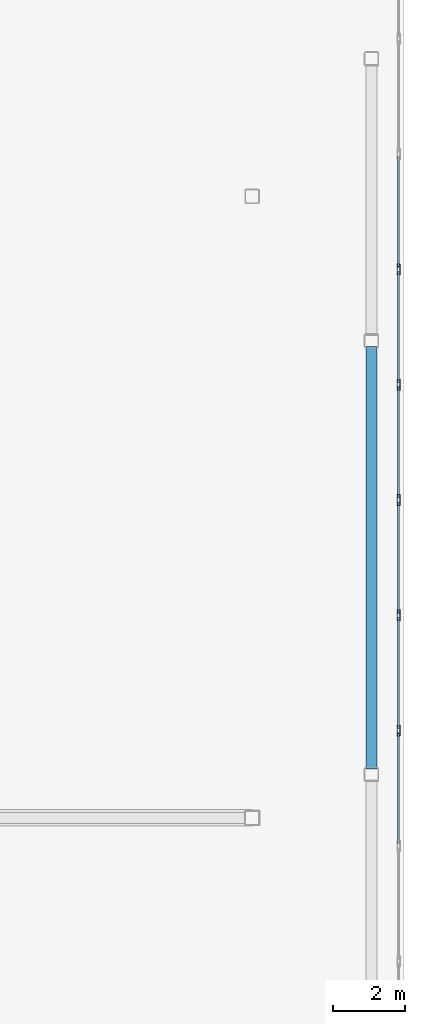
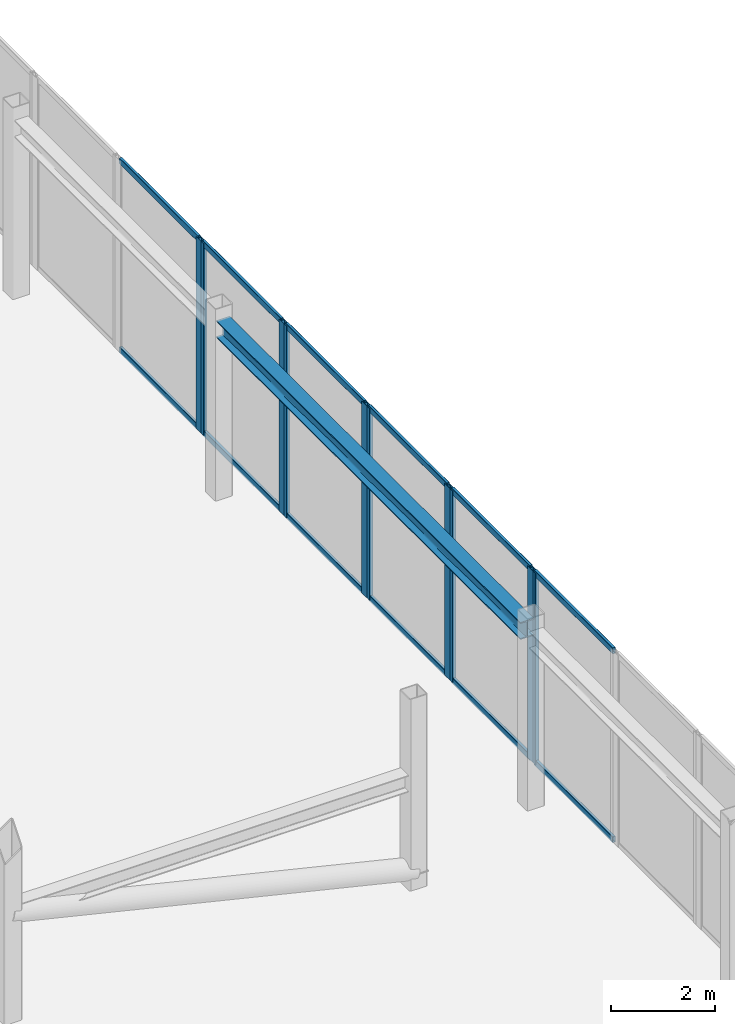
# One storey, part 9 of 14: 22 members, 1 beam, 6 elements without a shape of their own.
"""IFC4 building model written with IfcOpenShell, lengths in metres."""

from ifc_helpers import new_model, si_unit, direction, frame, origin, origin_2d, place, context, subcontext, project, spatial, hollow_rectangle, i_section, extrude, material, layer, layer_set, material_profile, profile_set, type_object, element, aggregate, save


model = new_model("IFC4")

# Units and contexts
model_context = context("Model", 3, precision=1e-05, world=origin(), true_north=direction((0.0, 1.0)))
body_context = subcontext(model_context, "Body", "Model", "MODEL_VIEW")
ifc_project = project(units=[si_unit("LENGTHUNIT", "METRE"), si_unit("AREAUNIT", "SQUARE_METRE"), si_unit("VOLUMEUNIT", "CUBIC_METRE"), si_unit("PLANEANGLEUNIT", "RADIAN"), si_unit("MASSUNIT", "GRAM", prefix="KILO")], contexts=[model_context])

# Site, building, storey
site_placement = place(None, origin())
site = spatial("IfcSite", under=ifc_project, at=site_placement, CompositionType="ELEMENT")
building_placement = place(site_placement, origin())
building = spatial("IfcBuilding", under=site, at=building_placement, Name="Tarnavaz Court Tower", CompositionType="ELEMENT")
storey_placement = place(building_placement, frame((0.0, 0.0, 286.050048828125)))
storey = spatial("IfcBuildingStorey", under=building, at=storey_placement, Name="C02", CompositionType="ELEMENT", Elevation=286.050048828125)

# Beam
ifc_material_1 = material(Name="Steel S355", Category="steel")
ifc_material_profile_1 = material_profile(ifc_material_1, i_section(OverallWidth=0.300048828125, OverallDepth=0.39990234375, WebThickness=0.013427734375, FlangeThickness=0.02392578125, FilletRadius=0.027099609375, at=origin_2d()), Name="HEB 400")
ifc_profile_set_1 = profile_set([ifc_material_profile_1], Name="Steel S355")
beam_type = type_object("IfcBeamType", Name="BM-G-HEB400", PredefinedType="USERDEFINED", material=ifc_profile_set_1)
beam_placement = place(storey_placement, frame((21.89990234375, -5.85009765625, 4.0), z_axis=(0.0, 1.0, 0.0), x_axis=(-1.0, 0.0, 0.0)))
element("IfcBeam", 1, at=beam_placement, inside=storey, type_object=beam_type, Name="C02 Beam CRG-PE-2-PE-3", ObjectType="GIRDER", PredefinedType="USERDEFINED", context=body_context, shape_type="SweptSolid", body=[
    extrude(i_section(OverallWidth=0.300048828125, OverallDepth=0.39990234375, WebThickness=0.013427734375, FlangeThickness=0.02392578125, FilletRadius=0.027099609375, at=origin_2d()), origin(), (0.0, 0.0, 1.0), 11.7001953125),
])

# Curtain wall, member
ifc_material_2 = material(Name="Anodised Aluminium 6063-T6 and Solar Low-E Glazing", Category="aluminium")
ifc_layer = layer(ifc_material_2, 0.2099609375)
ifc_layer_set = layer_set([ifc_layer], Name="Anodised Aluminium 6063-T6 and Solar Low-E Glazing")
curtain_wall_type = type_object("IfcCurtainWallType", Name="CW-SYS-06", PredefinedType="NOTDEFINED", material=ifc_layer_set)
curtain_wall_1_placement = place(storey_placement, origin())
curtain_wall_1 = element("IfcCurtainWall", 2, at=curtain_wall_1_placement, inside=storey, type_object=curtain_wall_type, Name="C02 Slanted Crown Terracotta Curtain Wall 26", PredefinedType="NOTDEFINED")
ifc_material_3 = material(Name="Anodised Aluminium 6063-T6", Category="aluminium")
ifc_material_profile_2 = material_profile(ifc_material_3, hollow_rectangle(XDim=0.0849609375, YDim=0.219970703125, WallThickness=0.006103515625, InnerFilletRadius=0.006103515625, OuterFilletRadius=0.011962890625, at=origin_2d()), Name="ALU RHS 220X85X6")
ifc_profile_set_2 = profile_set([ifc_material_profile_2], Name="Anodised Aluminium 6063-T6")
member_type_1 = type_object("IfcMemberType", Name="CW-MUL-220", PredefinedType="MULLION", material=ifc_profile_set_2)
member_1_placement = place(storey_placement, frame((22.64990234375, 8.019775390625, 0.0), z_axis=(0.0, 0.0, 1.0), x_axis=(1.0, 0.0, 0.0)))
member_1 = element("IfcMember", 3, at=member_1_placement, type_object=member_type_1, Name="CW mullion 2", PredefinedType="MULLION", context=body_context, shape_type="SweptSolid", body=[
    extrude(hollow_rectangle(XDim=0.0849609375, YDim=0.219970703125, WallThickness=0.006103515625, InnerFilletRadius=0.006103515625, OuterFilletRadius=0.011962890625, at=origin_2d()), origin(), (0.0, 0.0, 1.0), 4.5),
])

# Curtain wall, members
curtain_wall_2_placement = place(storey_placement, origin())
curtain_wall_2 = element("IfcCurtainWall", 4, at=curtain_wall_2_placement, inside=storey, type_object=curtain_wall_type, Name="C02 Slanted Crown Terracotta Curtain Wall 27", PredefinedType="NOTDEFINED")
member_2_placement = place(storey_placement, frame((22.64990234375, 7.934814453125, 0.0), z_axis=(0.0, 0.0, 1.0), x_axis=(1.0, 0.0, 0.0)))
member_2 = element("IfcMember", 5, at=member_2_placement, type_object=member_type_1, Name="CW mullion 1", PredefinedType="MULLION", context=body_context, shape_type="SweptSolid", body=[
    extrude(hollow_rectangle(XDim=0.0849609375, YDim=0.219970703125, WallThickness=0.006103515625, InnerFilletRadius=0.006103515625, OuterFilletRadius=0.011962890625, at=origin_2d()), origin(), (0.0, 0.0, 1.0), 4.5),
])
member_3_placement = place(storey_placement, frame((22.64990234375, 4.828857421875, 0.0), z_axis=(0.0, 0.0, 1.0), x_axis=(1.0, 0.0, 0.0)))
member_3 = element("IfcMember", 6, at=member_3_placement, type_object=member_type_1, Name="CW mullion 2", PredefinedType="MULLION", context=body_context, shape_type="SweptSolid", body=[
    extrude(hollow_rectangle(XDim=0.0849609375, YDim=0.219970703125, WallThickness=0.006103515625, InnerFilletRadius=0.006103515625, OuterFilletRadius=0.011962890625, at=origin_2d()), origin(), (0.0, 0.0, 1.0), 4.5),
])

curtain_wall_3_placement = place(storey_placement, origin())
curtain_wall_3 = element("IfcCurtainWall", 7, at=curtain_wall_3_placement, inside=storey, type_object=curtain_wall_type, Name="C02 Slanted Crown Terracotta Curtain Wall 28", PredefinedType="NOTDEFINED")
member_4_placement = place(storey_placement, frame((22.64990234375, 4.743896484375, 0.0), z_axis=(0.0, 0.0, 1.0), x_axis=(1.0, 0.0, 0.0)))
member_4 = element("IfcMember", 8, at=member_4_placement, type_object=member_type_1, Name="CW mullion 1", PredefinedType="MULLION", context=body_context, shape_type="SweptSolid", body=[
    extrude(hollow_rectangle(XDim=0.0849609375, YDim=0.219970703125, WallThickness=0.006103515625, InnerFilletRadius=0.006103515625, OuterFilletRadius=0.011962890625, at=origin_2d()), origin(), (0.0, 0.0, 1.0), 4.5),
])
member_5_placement = place(storey_placement, frame((22.64990234375, 1.637939453125, 0.0), z_axis=(0.0, 0.0, 1.0), x_axis=(1.0, 0.0, 0.0)))
member_5 = element("IfcMember", 9, at=member_5_placement, type_object=member_type_1, Name="CW mullion 2", PredefinedType="MULLION", context=body_context, shape_type="SweptSolid", body=[
    extrude(hollow_rectangle(XDim=0.0849609375, YDim=0.219970703125, WallThickness=0.006103515625, InnerFilletRadius=0.006103515625, OuterFilletRadius=0.011962890625, at=origin_2d()), origin(), (0.0, 0.0, 1.0), 4.5),
])

curtain_wall_4_placement = place(storey_placement, origin())
curtain_wall_4 = element("IfcCurtainWall", 10, at=curtain_wall_4_placement, inside=storey, type_object=curtain_wall_type, Name="C02 Slanted Crown Terracotta Curtain Wall 29", PredefinedType="NOTDEFINED")
member_6_placement = place(storey_placement, frame((22.64990234375, 1.552978515625, 0.0), z_axis=(0.0, 0.0, 1.0), x_axis=(1.0, 0.0, 0.0)))
member_6 = element("IfcMember", 11, at=member_6_placement, type_object=member_type_1, Name="CW mullion 1", PredefinedType="MULLION", context=body_context, shape_type="SweptSolid", body=[
    extrude(hollow_rectangle(XDim=0.0849609375, YDim=0.219970703125, WallThickness=0.006103515625, InnerFilletRadius=0.006103515625, OuterFilletRadius=0.011962890625, at=origin_2d()), origin(), (0.0, 0.0, 1.0), 4.5),
])
member_7_placement = place(storey_placement, frame((22.64990234375, -1.552978515625, 0.0), z_axis=(0.0, 0.0, 1.0), x_axis=(1.0, 0.0, 0.0)))
member_7 = element("IfcMember", 12, at=member_7_placement, type_object=member_type_1, Name="CW mullion 2", PredefinedType="MULLION", context=body_context, shape_type="SweptSolid", body=[
    extrude(hollow_rectangle(XDim=0.0849609375, YDim=0.219970703125, WallThickness=0.006103515625, InnerFilletRadius=0.006103515625, OuterFilletRadius=0.011962890625, at=origin_2d()), origin(), (0.0, 0.0, 1.0), 4.5),
])

curtain_wall_5_placement = place(storey_placement, origin())
curtain_wall_5 = element("IfcCurtainWall", 13, at=curtain_wall_5_placement, inside=storey, type_object=curtain_wall_type, Name="C02 Slanted Crown Terracotta Curtain Wall 30", PredefinedType="NOTDEFINED")
member_8_placement = place(storey_placement, frame((22.64990234375, -1.637939453125, 0.0), z_axis=(0.0, 0.0, 1.0), x_axis=(1.0, 0.0, 0.0)))
member_8 = element("IfcMember", 14, at=member_8_placement, type_object=member_type_1, Name="CW mullion 1", PredefinedType="MULLION", context=body_context, shape_type="SweptSolid", body=[
    extrude(hollow_rectangle(XDim=0.0849609375, YDim=0.219970703125, WallThickness=0.006103515625, InnerFilletRadius=0.006103515625, OuterFilletRadius=0.011962890625, at=origin_2d()), origin(), (0.0, 0.0, 1.0), 4.5),
])
member_9_placement = place(storey_placement, frame((22.64990234375, -4.743896484375, 0.0), z_axis=(0.0, 0.0, 1.0), x_axis=(1.0, 0.0, 0.0)))
member_9 = element("IfcMember", 15, at=member_9_placement, type_object=member_type_1, Name="CW mullion 2", PredefinedType="MULLION", context=body_context, shape_type="SweptSolid", body=[
    extrude(hollow_rectangle(XDim=0.0849609375, YDim=0.219970703125, WallThickness=0.006103515625, InnerFilletRadius=0.006103515625, OuterFilletRadius=0.011962890625, at=origin_2d()), origin(), (0.0, 0.0, 1.0), 4.5),
])

# Curtain wall, member
curtain_wall_6_placement = place(storey_placement, origin())
curtain_wall_6 = element("IfcCurtainWall", 16, at=curtain_wall_6_placement, inside=storey, type_object=curtain_wall_type, Name="C02 Slanted Crown Terracotta Curtain Wall 31", PredefinedType="NOTDEFINED")
member_10_placement = place(storey_placement, frame((22.64990234375, -4.828857421875, 0.0), z_axis=(0.0, 0.0, 1.0), x_axis=(1.0, 0.0, 0.0)))
member_10 = element("IfcMember", 17, at=member_10_placement, type_object=member_type_1, Name="CW mullion 1", PredefinedType="MULLION", context=body_context, shape_type="SweptSolid", body=[
    extrude(hollow_rectangle(XDim=0.0849609375, YDim=0.219970703125, WallThickness=0.006103515625, InnerFilletRadius=0.006103515625, OuterFilletRadius=0.011962890625, at=origin_2d()), origin(), (0.0, 0.0, 1.0), 4.5),
])

# Member
ifc_material_profile_3 = material_profile(ifc_material_3, hollow_rectangle(XDim=0.06494140625, YDim=0.139892578125, WallThickness=0.00390625, InnerFilletRadius=0.00390625, OuterFilletRadius=0.008056640625, at=origin_2d()), Name="ALU RHS 140X65X4")
ifc_profile_set_3 = profile_set([ifc_material_profile_3], Name="Anodised Aluminium 6063-T6")
member_type_2 = type_object("IfcMemberType", Name="CW-TRN-140", PredefinedType="USERDEFINED", material=ifc_profile_set_3)
member_11_placement = place(storey_placement, frame((22.64990234375, 11.083251953125, 0.032470703125), z_axis=(0.0, -1.0, 0.0), x_axis=(1.0, 0.0, 0.0)))
member_11 = element("IfcMember", 18, at=member_11_placement, type_object=member_type_2, Name="CW transom 1.1", ObjectType="TRANSOM", PredefinedType="USERDEFINED", context=body_context, shape_type="SweptSolid", body=[
    extrude(hollow_rectangle(XDim=0.06494140625, YDim=0.139892578125, WallThickness=0.00390625, InnerFilletRadius=0.00390625, OuterFilletRadius=0.008056640625, at=origin_2d()), origin(), (0.0, 0.0, 1.0), 3.02099609375),
])

member_12_placement = place(storey_placement, frame((22.64990234375, 11.083251953125, 4.467529296875), z_axis=(0.0, -1.0, 0.0), x_axis=(1.0, 0.0, 0.0)))
member_12 = element("IfcMember", 19, at=member_12_placement, type_object=member_type_2, Name="CW transom 1.2", ObjectType="TRANSOM", PredefinedType="USERDEFINED", context=body_context, shape_type="SweptSolid", body=[
    extrude(hollow_rectangle(XDim=0.06494140625, YDim=0.139892578125, WallThickness=0.00390625, InnerFilletRadius=0.00390625, OuterFilletRadius=0.008056640625, at=origin_2d()), origin(), (0.0, 0.0, 1.0), 3.02099609375),
])

aggregate(curtain_wall_1, [member_1, member_11, member_12])

member_13_placement = place(storey_placement, frame((22.64990234375, 7.892333984375, 0.032470703125), z_axis=(0.0, -1.0, 0.0), x_axis=(1.0, 0.0, 0.0)))
member_13 = element("IfcMember", 20, at=member_13_placement, type_object=member_type_2, Name="CW transom 1.1", ObjectType="TRANSOM", PredefinedType="USERDEFINED", context=body_context, shape_type="SweptSolid", body=[
    extrude(hollow_rectangle(XDim=0.06494140625, YDim=0.139892578125, WallThickness=0.00390625, InnerFilletRadius=0.00390625, OuterFilletRadius=0.008056640625, at=origin_2d()), origin(), (0.0, 0.0, 1.0), 3.02099609375),
])

member_14_placement = place(storey_placement, frame((22.64990234375, 7.892333984375, 4.467529296875), z_axis=(0.0, -1.0, 0.0), x_axis=(1.0, 0.0, 0.0)))
member_14 = element("IfcMember", 21, at=member_14_placement, type_object=member_type_2, Name="CW transom 1.2", ObjectType="TRANSOM", PredefinedType="USERDEFINED", context=body_context, shape_type="SweptSolid", body=[
    extrude(hollow_rectangle(XDim=0.06494140625, YDim=0.139892578125, WallThickness=0.00390625, InnerFilletRadius=0.00390625, OuterFilletRadius=0.008056640625, at=origin_2d()), origin(), (0.0, 0.0, 1.0), 3.02099609375),
])

aggregate(curtain_wall_2, [member_2, member_3, member_13, member_14])

member_15_placement = place(storey_placement, frame((22.64990234375, 4.701416015625, 0.032470703125), z_axis=(0.0, -1.0, 0.0), x_axis=(1.0, 0.0, 0.0)))
member_15 = element("IfcMember", 22, at=member_15_placement, type_object=member_type_2, Name="CW transom 1.1", ObjectType="TRANSOM", PredefinedType="USERDEFINED", context=body_context, shape_type="SweptSolid", body=[
    extrude(hollow_rectangle(XDim=0.06494140625, YDim=0.139892578125, WallThickness=0.00390625, InnerFilletRadius=0.00390625, OuterFilletRadius=0.008056640625, at=origin_2d()), origin(), (0.0, 0.0, 1.0), 3.02099609375),
])

member_16_placement = place(storey_placement, frame((22.64990234375, 4.701416015625, 4.467529296875), z_axis=(0.0, -1.0, 0.0), x_axis=(1.0, 0.0, 0.0)))
member_16 = element("IfcMember", 23, at=member_16_placement, type_object=member_type_2, Name="CW transom 1.2", ObjectType="TRANSOM", PredefinedType="USERDEFINED", context=body_context, shape_type="SweptSolid", body=[
    extrude(hollow_rectangle(XDim=0.06494140625, YDim=0.139892578125, WallThickness=0.00390625, InnerFilletRadius=0.00390625, OuterFilletRadius=0.008056640625, at=origin_2d()), origin(), (0.0, 0.0, 1.0), 3.02099609375),
])

aggregate(curtain_wall_3, [member_4, member_5, member_15, member_16])

member_17_placement = place(storey_placement, frame((22.64990234375, 1.510498046875, 0.032470703125), z_axis=(0.0, -1.0, 0.0), x_axis=(1.0, 0.0, 0.0)))
member_17 = element("IfcMember", 24, at=member_17_placement, type_object=member_type_2, Name="CW transom 1.1", ObjectType="TRANSOM", PredefinedType="USERDEFINED", context=body_context, shape_type="SweptSolid", body=[
    extrude(hollow_rectangle(XDim=0.06494140625, YDim=0.139892578125, WallThickness=0.00390625, InnerFilletRadius=0.00390625, OuterFilletRadius=0.008056640625, at=origin_2d()), origin(), (0.0, 0.0, 1.0), 3.02099609375),
])

member_18_placement = place(storey_placement, frame((22.64990234375, 1.510498046875, 4.467529296875), z_axis=(0.0, -1.0, 0.0), x_axis=(1.0, 0.0, 0.0)))
member_18 = element("IfcMember", 25, at=member_18_placement, type_object=member_type_2, Name="CW transom 1.2", ObjectType="TRANSOM", PredefinedType="USERDEFINED", context=body_context, shape_type="SweptSolid", body=[
    extrude(hollow_rectangle(XDim=0.06494140625, YDim=0.139892578125, WallThickness=0.00390625, InnerFilletRadius=0.00390625, OuterFilletRadius=0.008056640625, at=origin_2d()), origin(), (0.0, 0.0, 1.0), 3.02099609375),
])

aggregate(curtain_wall_4, [member_6, member_7, member_17, member_18])

member_19_placement = place(storey_placement, frame((22.64990234375, -1.680419921875, 0.032470703125), z_axis=(0.0, -1.0, 0.0), x_axis=(1.0, 0.0, 0.0)))
member_19 = element("IfcMember", 26, at=member_19_placement, type_object=member_type_2, Name="CW transom 1.1", ObjectType="TRANSOM", PredefinedType="USERDEFINED", context=body_context, shape_type="SweptSolid", body=[
    extrude(hollow_rectangle(XDim=0.06494140625, YDim=0.139892578125, WallThickness=0.00390625, InnerFilletRadius=0.00390625, OuterFilletRadius=0.008056640625, at=origin_2d()), origin(), (0.0, 0.0, 1.0), 3.02099609375),
])

member_20_placement = place(storey_placement, frame((22.64990234375, -1.680419921875, 4.467529296875), z_axis=(0.0, -1.0, 0.0), x_axis=(1.0, 0.0, 0.0)))
member_20 = element("IfcMember", 27, at=member_20_placement, type_object=member_type_2, Name="CW transom 1.2", ObjectType="TRANSOM", PredefinedType="USERDEFINED", context=body_context, shape_type="SweptSolid", body=[
    extrude(hollow_rectangle(XDim=0.06494140625, YDim=0.139892578125, WallThickness=0.00390625, InnerFilletRadius=0.00390625, OuterFilletRadius=0.008056640625, at=origin_2d()), origin(), (0.0, 0.0, 1.0), 3.02099609375),
])

aggregate(curtain_wall_5, [member_8, member_9, member_19, member_20])

member_21_placement = place(storey_placement, frame((22.64990234375, -4.871337890625, 0.032470703125), z_axis=(0.0, -1.0, 0.0), x_axis=(1.0, 0.0, 0.0)))
member_21 = element("IfcMember", 28, at=member_21_placement, type_object=member_type_2, Name="CW transom 1.1", ObjectType="TRANSOM", PredefinedType="USERDEFINED", context=body_context, shape_type="SweptSolid", body=[
    extrude(hollow_rectangle(XDim=0.06494140625, YDim=0.139892578125, WallThickness=0.00390625, InnerFilletRadius=0.00390625, OuterFilletRadius=0.008056640625, at=origin_2d()), origin(), (0.0, 0.0, 1.0), 3.02099609375),
])

member_22_placement = place(storey_placement, frame((22.64990234375, -4.871337890625, 4.467529296875), z_axis=(0.0, -1.0, 0.0), x_axis=(1.0, 0.0, 0.0)))
member_22 = element("IfcMember", 29, at=member_22_placement, type_object=member_type_2, Name="CW transom 1.2", ObjectType="TRANSOM", PredefinedType="USERDEFINED", context=body_context, shape_type="SweptSolid", body=[
    extrude(hollow_rectangle(XDim=0.06494140625, YDim=0.139892578125, WallThickness=0.00390625, InnerFilletRadius=0.00390625, OuterFilletRadius=0.008056640625, at=origin_2d()), origin(), (0.0, 0.0, 1.0), 3.02099609375),
])

aggregate(curtain_wall_6, [member_10, member_21, member_22])

save(model, "model.ifc")
